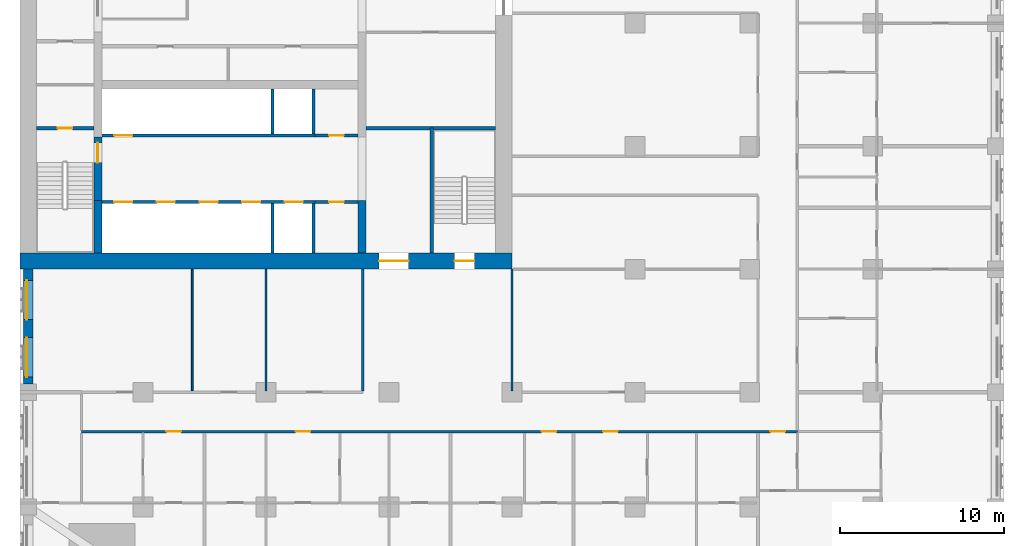
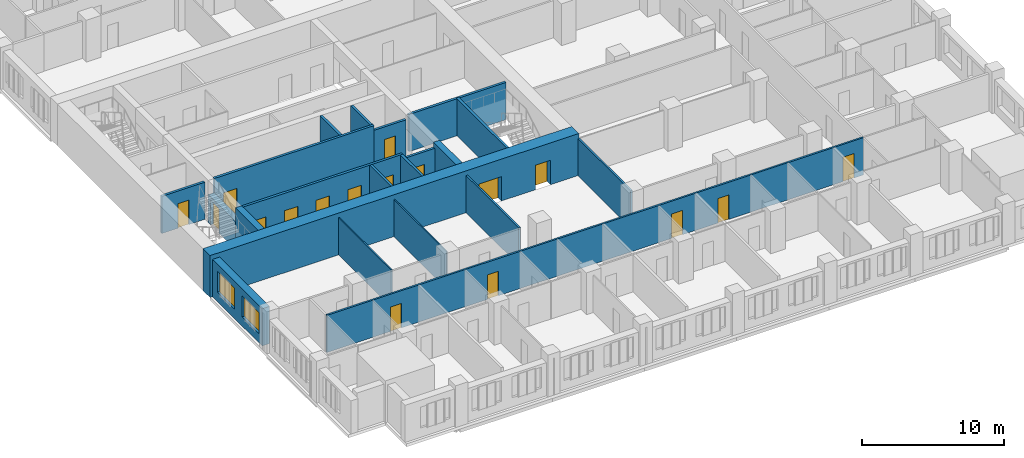
# One storey, part 5 of 14: 21 walls, 17 doors, 2 windows, 19 openings.
"""IFC4 building model written with IfcOpenShell, lengths in metres."""

from ifc_helpers import new_model, si_unit, direction, frame, frame_2d, origin, place, context, subcontext, project, spatial, rectangle, extrude, material, layer, layer_set, type_object, element, fill, save


model = new_model("IFC4")

# Units and contexts
model_context = context("Model", 3, precision=1e-05, world=origin(), true_north=direction((0.0, 1.0)))
body_context = subcontext(model_context, "Body", "Model", "MODEL_VIEW")
ifc_project = project(units=[si_unit("LENGTHUNIT", "METRE"), si_unit("AREAUNIT", "SQUARE_METRE"), si_unit("VOLUMEUNIT", "CUBIC_METRE"), si_unit("PLANEANGLEUNIT", "RADIAN"), si_unit("MASSUNIT", "GRAM", prefix="KILO")], contexts=[model_context])

# Site, building, storey
site_placement = place(None, origin())
site = spatial("IfcSite", under=ifc_project, at=site_placement, CompositionType="ELEMENT")
building_placement = place(site_placement, origin())
building = spatial("IfcBuilding", under=site, at=building_placement, Name="Tamorin Gate", CompositionType="ELEMENT")
storey_placement = place(building_placement, frame((0.0, 0.0, 70.0)))
storey = spatial("IfcBuildingStorey", under=building, at=storey_placement, Name="L16", CompositionType="ELEMENT", Elevation=70.0)

# Wall, openings, windows
ifc_material_1 = material(Name="Precast concrete C40/50", Category="concrete")
ifc_layer_1 = layer(ifc_material_1, 0.60009765625)
ifc_layer_set_1 = layer_set([ifc_layer_1], Name="Precast concrete C40/50")
wall_type_1 = type_object("IfcWallType", Name="Board-marked concrete facade panel 600", PredefinedType="SOLIDWALL", material=ifc_layer_set_1)
wall_1_placement = place(storey_placement, frame((30.5, 60.0, 0.0), z_axis=(0.0, 0.0, 1.0), x_axis=(0.0, -1.0, 0.0)))
wall_1 = element("IfcWall", 1, at=wall_1_placement, inside=storey, type_object=wall_type_1, Name="Facade panel", PredefinedType="SOLIDWALL", context=body_context, shape_type="SweptSolid", body=[
    extrude(rectangle(XDim=7.0, YDim=0.60009765625, at=frame_2d((3.5, 0.0))), origin(), (0.0, 0.0, 1.0), 3.199951171875),
])
opening_1_placement = place(wall_1_placement, frame((4.175048828125, 0.0, 0.800048828125)))
opening_1 = element("IfcOpeningElement", 2, at=opening_1_placement, cuts=wall_1, Name="Opening WN1", PredefinedType="OPENING", context=body_context, shape_type="SweptSolid", body=[
    extrude(rectangle(XDim=2.39990234375, YDim=1.800048828125, at=frame_2d((1.199951171875, 0.89990234375))), frame((0.0, 0.31005859375, 0.0), z_axis=(0.0, -1.0, 0.0), x_axis=(1.0, 0.0, 0.0)), (0.0, 0.0, 1.0), 0.6201171875),
])
opening_2_placement = place(wall_1_placement, frame((0.675048828125, 0.0, 0.800048828125)))
opening_2 = element("IfcOpeningElement", 3, at=opening_2_placement, cuts=wall_1, Name="Opening WN1", PredefinedType="OPENING", context=body_context, shape_type="SweptSolid", body=[
    extrude(rectangle(XDim=2.39990234375, YDim=1.800048828125, at=frame_2d((1.199951171875, 0.89990234375))), frame((0.0, 0.31005859375, 0.0), z_axis=(0.0, -1.0, 0.0), x_axis=(1.0, 0.0, 0.0)), (0.0, 0.0, 1.0), 0.6201171875),
])
ifc_material_2 = material(Name="Clear glass in aluminium frame", Category="aluminium")
window_type = type_object("IfcWindowType", Name="Deep-set window 2400x1800", PartitioningType="SINGLE_PANEL", PredefinedType="WINDOW", material=ifc_material_2)
window_1_placement = place(opening_1_placement, origin())
window_1 = element("IfcWindow", 4, at=window_1_placement, inside=storey, type_object=window_type, Name="Deep-set window", OverallHeight=1.800048828125, OverallWidth=2.39990234375, PartitioningType="SINGLE_PANEL", PredefinedType="WINDOW", context=body_context, shape_type="SweptSolid", body=[
    extrude(rectangle(XDim=2.39990234375, YDim=1.800048828125, at=frame_2d((1.199951171875, 0.89990234375))), frame((0.0, -0.070068359375, 0.0), z_axis=(0.0, -1.0, 0.0), x_axis=(1.0, 0.0, 0.0)), (0.0, 0.0, 1.0), 0.06005859375),
])
fill(opening_1, window_1)
window_2_placement = place(opening_2_placement, origin())
window_2 = element("IfcWindow", 5, at=window_2_placement, inside=storey, type_object=window_type, Name="Deep-set window", OverallHeight=1.800048828125, OverallWidth=2.39990234375, PartitioningType="SINGLE_PANEL", PredefinedType="WINDOW", context=body_context, shape_type="SweptSolid", body=[
    extrude(rectangle(XDim=2.39990234375, YDim=1.800048828125, at=frame_2d((1.199951171875, 0.89990234375))), frame((0.0, -0.070068359375, 0.0), z_axis=(0.0, -1.0, 0.0), x_axis=(1.0, 0.0, 0.0)), (0.0, 0.0, 1.0), 0.06005859375),
])
fill(opening_2, window_2)

# Wall, openings, doors
ifc_material_3 = material(Name="Gypsum board partition")
ifc_layer_2 = layer(ifc_material_3, 0.14990234375)
ifc_layer_set_2 = layer_set([ifc_layer_2], Name="Corridor wall 150")
wall_type_2 = type_object("IfcWallType", Name="Corridor wall 150", PredefinedType="PARTITIONING", material=ifc_layer_set_2)
wall_2_placement = place(storey_placement, frame((33.75, 50.10009765625, 0.0), z_axis=(0.0, 0.0, 1.0), x_axis=(1.0, 0.0, 0.0)))
wall_2 = element("IfcWall", 6, at=wall_2_placement, inside=storey, type_object=wall_type_2, Name="Corridor wall 150", PredefinedType="PARTITIONING", context=body_context, shape_type="SweptSolid", body=[
    extrude(rectangle(XDim=43.64990234375, YDim=0.14990234375, at=frame_2d((21.824951171875, 0.0))), origin(), (0.0, 0.0, 1.0), 3.199951171875),
])
opening_3_placement = place(wall_2_placement, frame((5.175048828125, 0.0, 0.0)))
opening_3 = element("IfcOpeningElement", 7, at=opening_3_placement, cuts=wall_2, Name="Opening DH3003", PredefinedType="OPENING", context=body_context, shape_type="SweptSolid", body=[
    extrude(rectangle(XDim=0.89990234375, YDim=2.10009765625, at=frame_2d((0.449951171875, 1.050048828125))), frame((0.0, 0.0849609375, 0.0), z_axis=(0.0, -1.0, 0.0), x_axis=(1.0, 0.0, 0.0)), (0.0, 0.0, 1.0), 0.169921875),
])
opening_4_placement = place(wall_2_placement, frame((13.050048828125, 0.0, 0.0)))
opening_4 = element("IfcOpeningElement", 8, at=opening_4_placement, cuts=wall_2, Name="Opening DH3006", PredefinedType="OPENING", context=body_context, shape_type="SweptSolid", body=[
    extrude(rectangle(XDim=0.89990234375, YDim=2.10009765625, at=frame_2d((0.449951171875, 1.050048828125))), frame((0.0, 0.0849609375, 0.0), z_axis=(0.0, -1.0, 0.0), x_axis=(1.0, 0.0, 0.0)), (0.0, 0.0, 1.0), 0.169921875),
])
opening_5_placement = place(wall_2_placement, frame((28.050048828125, 0.0, 0.0)))
opening_5 = element("IfcOpeningElement", 9, at=opening_5_placement, cuts=wall_2, Name="Opening DH3013", PredefinedType="OPENING", context=body_context, shape_type="SweptSolid", body=[
    extrude(rectangle(XDim=0.89990234375, YDim=2.10009765625, at=frame_2d((0.449951171875, 1.050048828125))), frame((0.0, 0.0849609375, 0.0), z_axis=(0.0, -1.0, 0.0), x_axis=(1.0, 0.0, 0.0)), (0.0, 0.0, 1.0), 0.169921875),
])
opening_6_placement = place(wall_2_placement, frame((31.800048828125, 0.0, 0.0)))
opening_6 = element("IfcOpeningElement", 10, at=opening_6_placement, cuts=wall_2, Name="Opening DH3015", PredefinedType="OPENING", context=body_context, shape_type="SweptSolid", body=[
    extrude(rectangle(XDim=0.89990234375, YDim=2.10009765625, at=frame_2d((0.449951171875, 1.050048828125))), frame((0.0, 0.0849609375, 0.0), z_axis=(0.0, -1.0, 0.0), x_axis=(1.0, 0.0, 0.0)), (0.0, 0.0, 1.0), 0.169921875),
])
opening_7_placement = place(wall_2_placement, frame((42.0, 0.0, 0.0)))
opening_7 = element("IfcOpeningElement", 11, at=opening_7_placement, cuts=wall_2, Name="Opening DH3061", PredefinedType="OPENING", context=body_context, shape_type="SweptSolid", body=[
    extrude(rectangle(XDim=0.89990234375, YDim=2.10009765625, at=frame_2d((0.449951171875, 1.050048828125))), frame((0.0, 0.0849609375, 0.0), z_axis=(0.0, -1.0, 0.0), x_axis=(1.0, 0.0, 0.0)), (0.0, 0.0, 1.0), 0.169921875),
])
ifc_material_4 = material(Name="Timber door leaf", Category="wood")
door_type_1 = type_object("IfcDoorType", Name="Door 900 x 2100 FD30S", OperationType="NOTDEFINED", PredefinedType="DOOR", material=ifc_material_4)
door_1_placement = place(opening_3_placement, origin())
door_1 = element("IfcDoor", 12, at=door_1_placement, inside=storey, type_object=door_type_1, Name="Door DH3003", OperationType="SINGLE_SWING_RIGHT", OverallHeight=2.10009765625, OverallWidth=0.89990234375, PredefinedType="DOOR", context=body_context, shape_type="SweptSolid", body=[
    extrude(rectangle(XDim=0.89990234375, YDim=2.10009765625, at=frame_2d((0.449951171875, 1.050048828125))), frame((0.0, 0.02490234375, 0.0), z_axis=(0.0, -1.0, 0.0), x_axis=(1.0, 0.0, 0.0)), (0.0, 0.0, 1.0), 0.050048828125),
])
fill(opening_3, door_1)
door_2_placement = place(opening_4_placement, origin())
door_2 = element("IfcDoor", 13, at=door_2_placement, inside=storey, type_object=door_type_1, Name="Door DH3006", OperationType="SINGLE_SWING_RIGHT", OverallHeight=2.10009765625, OverallWidth=0.89990234375, PredefinedType="DOOR", context=body_context, shape_type="SweptSolid", body=[
    extrude(rectangle(XDim=0.89990234375, YDim=2.10009765625, at=frame_2d((0.449951171875, 1.050048828125))), frame((0.0, 0.02490234375, 0.0), z_axis=(0.0, -1.0, 0.0), x_axis=(1.0, 0.0, 0.0)), (0.0, 0.0, 1.0), 0.050048828125),
])
fill(opening_4, door_2)
door_3_placement = place(opening_5_placement, origin())
door_3 = element("IfcDoor", 14, at=door_3_placement, inside=storey, type_object=door_type_1, Name="Door DH3013", OperationType="SINGLE_SWING_RIGHT", OverallHeight=2.10009765625, OverallWidth=0.89990234375, PredefinedType="DOOR", context=body_context, shape_type="SweptSolid", body=[
    extrude(rectangle(XDim=0.89990234375, YDim=2.10009765625, at=frame_2d((0.449951171875, 1.050048828125))), frame((0.0, 0.02490234375, 0.0), z_axis=(0.0, -1.0, 0.0), x_axis=(1.0, 0.0, 0.0)), (0.0, 0.0, 1.0), 0.050048828125),
])
fill(opening_5, door_3)
door_4_placement = place(opening_6_placement, origin())
door_4 = element("IfcDoor", 15, at=door_4_placement, inside=storey, type_object=door_type_1, Name="Door DH3015", OperationType="SINGLE_SWING_RIGHT", OverallHeight=2.10009765625, OverallWidth=0.89990234375, PredefinedType="DOOR", context=body_context, shape_type="SweptSolid", body=[
    extrude(rectangle(XDim=0.89990234375, YDim=2.10009765625, at=frame_2d((0.449951171875, 1.050048828125))), frame((0.0, 0.02490234375, 0.0), z_axis=(0.0, -1.0, 0.0), x_axis=(1.0, 0.0, 0.0)), (0.0, 0.0, 1.0), 0.050048828125),
])
fill(opening_6, door_4)
door_5_placement = place(opening_7_placement, origin())
door_5 = element("IfcDoor", 16, at=door_5_placement, inside=storey, type_object=door_type_1, Name="Door DH3061", OperationType="SINGLE_SWING_LEFT", OverallHeight=2.10009765625, OverallWidth=0.89990234375, PredefinedType="DOOR", context=body_context, shape_type="SweptSolid", body=[
    extrude(rectangle(XDim=0.89990234375, YDim=2.10009765625, at=frame_2d((0.449951171875, 1.050048828125))), frame((0.0, 0.02490234375, 0.0), z_axis=(0.0, -1.0, 0.0), x_axis=(1.0, 0.0, 0.0)), (0.0, 0.0, 1.0), 0.050048828125),
])
fill(opening_7, door_5)

ifc_material_5 = material(Name="Concrete C32/40", Category="concrete")
ifc_layer_3 = layer(ifc_material_5, 0.199951171875)
ifc_layer_set_3 = layer_set([ifc_layer_3], Name="Lift lobby face wall 200 EI 120")
wall_type_3 = type_object("IfcWallType", Name="Lift lobby face wall 200 EI 120", PredefinedType="SOLIDWALL", material=ifc_layer_set_3)
wall_3_placement = place(storey_placement, frame((35.0, 64.10009765625, 0.0), z_axis=(0.0, 0.0, 1.0), x_axis=(1.0, 0.0, 0.0)))
wall_3 = element("IfcWall", 17, at=wall_3_placement, inside=storey, type_object=wall_type_3, Name="Lift lobby face wall", PredefinedType="SOLIDWALL", context=body_context, shape_type="SweptSolid", body=[
    extrude(rectangle(XDim=13.0, YDim=0.199951171875, at=frame_2d((6.5, 0.0))), origin(), (0.0, 0.0, 1.0), 3.60009765625),
])
opening_8_placement = place(wall_3_placement, frame((0.75, 0.0, 0.0)))
opening_8 = element("IfcOpeningElement", 18, at=opening_8_placement, cuts=wall_3, Name="Opening LD1", PredefinedType="OPENING", context=body_context, shape_type="SweptSolid", body=[
    extrude(rectangle(XDim=1.10009765625, YDim=2.10009765625, at=frame_2d((0.550048828125, 1.050048828125))), frame((0.0, 0.10986328125, 0.0), z_axis=(0.0, -1.0, 0.0), x_axis=(1.0, 0.0, 0.0)), (0.0, 0.0, 1.0), 0.219970703125),
])
opening_9_placement = place(wall_3_placement, frame((3.35009765625, 0.0, 0.0)))
opening_9 = element("IfcOpeningElement", 19, at=opening_9_placement, cuts=wall_3, Name="Opening LD2", PredefinedType="OPENING", context=body_context, shape_type="SweptSolid", body=[
    extrude(rectangle(XDim=1.10009765625, YDim=2.10009765625, at=frame_2d((0.550048828125, 1.050048828125))), frame((0.0, 0.10986328125, 0.0), z_axis=(0.0, -1.0, 0.0), x_axis=(1.0, 0.0, 0.0)), (0.0, 0.0, 1.0), 0.219970703125),
])
opening_10_placement = place(wall_3_placement, frame((5.949951171875, 0.0, 0.0)))
opening_10 = element("IfcOpeningElement", 20, at=opening_10_placement, cuts=wall_3, Name="Opening LD3", PredefinedType="OPENING", context=body_context, shape_type="SweptSolid", body=[
    extrude(rectangle(XDim=1.10009765625, YDim=2.10009765625, at=frame_2d((0.550048828125, 1.050048828125))), frame((0.0, 0.10986328125, 0.0), z_axis=(0.0, -1.0, 0.0), x_axis=(1.0, 0.0, 0.0)), (0.0, 0.0, 1.0), 0.219970703125),
])
opening_11_placement = place(wall_3_placement, frame((8.550048828125, 0.0, 0.0)))
opening_11 = element("IfcOpeningElement", 21, at=opening_11_placement, cuts=wall_3, Name="Opening LD4", PredefinedType="OPENING", context=body_context, shape_type="SweptSolid", body=[
    extrude(rectangle(XDim=1.10009765625, YDim=2.10009765625, at=frame_2d((0.550048828125, 1.050048828125))), frame((0.0, 0.10986328125, 0.0), z_axis=(0.0, -1.0, 0.0), x_axis=(1.0, 0.0, 0.0)), (0.0, 0.0, 1.0), 0.219970703125),
])
opening_12_placement = place(wall_3_placement, frame((11.14990234375, 0.0, 0.0)))
opening_12 = element("IfcOpeningElement", 22, at=opening_12_placement, cuts=wall_3, Name="Opening LD5", PredefinedType="OPENING", context=body_context, shape_type="SweptSolid", body=[
    extrude(rectangle(XDim=1.10009765625, YDim=2.10009765625, at=frame_2d((0.550048828125, 1.050048828125))), frame((0.0, 0.10986328125, 0.0), z_axis=(0.0, -1.0, 0.0), x_axis=(1.0, 0.0, 0.0)), (0.0, 0.0, 1.0), 0.219970703125),
])
ifc_material_6 = material(Name="Stainless steel sliding door", Category="steel")
door_type_2 = type_object("IfcDoorType", Name="Lift landing door 1100 x 2100 E 90", OperationType="DOUBLE_DOOR_SLIDING", PredefinedType="DOOR", material=ifc_material_6)
door_6_placement = place(opening_8_placement, origin())
door_6 = element("IfcDoor", 23, at=door_6_placement, inside=storey, type_object=door_type_2, Name="LR1 landing door", OperationType="DOUBLE_DOOR_SLIDING", OverallHeight=2.10009765625, OverallWidth=1.10009765625, PredefinedType="DOOR", context=body_context, shape_type="SweptSolid", body=[
    extrude(rectangle(XDim=1.10009765625, YDim=2.10009765625, at=frame_2d((0.550048828125, 1.050048828125))), frame((0.0, 0.02490234375, 0.0), z_axis=(0.0, -1.0, 0.0), x_axis=(1.0, 0.0, 0.0)), (0.0, 0.0, 1.0), 0.050048828125),
])
fill(opening_8, door_6)
door_7_placement = place(opening_9_placement, origin())
door_7 = element("IfcDoor", 24, at=door_7_placement, inside=storey, type_object=door_type_2, Name="LR2 landing door", OperationType="DOUBLE_DOOR_SLIDING", OverallHeight=2.10009765625, OverallWidth=1.10009765625, PredefinedType="DOOR", context=body_context, shape_type="SweptSolid", body=[
    extrude(rectangle(XDim=1.10009765625, YDim=2.10009765625, at=frame_2d((0.550048828125, 1.050048828125))), frame((0.0, 0.02490234375, 0.0), z_axis=(0.0, -1.0, 0.0), x_axis=(1.0, 0.0, 0.0)), (0.0, 0.0, 1.0), 0.050048828125),
])
fill(opening_9, door_7)
door_8_placement = place(opening_10_placement, origin())
door_8 = element("IfcDoor", 25, at=door_8_placement, inside=storey, type_object=door_type_2, Name="LR3 landing door", OperationType="DOUBLE_DOOR_SLIDING", OverallHeight=2.10009765625, OverallWidth=1.10009765625, PredefinedType="DOOR", context=body_context, shape_type="SweptSolid", body=[
    extrude(rectangle(XDim=1.10009765625, YDim=2.10009765625, at=frame_2d((0.550048828125, 1.050048828125))), frame((0.0, 0.02490234375, 0.0), z_axis=(0.0, -1.0, 0.0), x_axis=(1.0, 0.0, 0.0)), (0.0, 0.0, 1.0), 0.050048828125),
])
fill(opening_10, door_8)
door_9_placement = place(opening_11_placement, origin())
door_9 = element("IfcDoor", 26, at=door_9_placement, inside=storey, type_object=door_type_2, Name="LR4 landing door", OperationType="DOUBLE_DOOR_SLIDING", OverallHeight=2.10009765625, OverallWidth=1.10009765625, PredefinedType="DOOR", context=body_context, shape_type="SweptSolid", body=[
    extrude(rectangle(XDim=1.10009765625, YDim=2.10009765625, at=frame_2d((0.550048828125, 1.050048828125))), frame((0.0, 0.02490234375, 0.0), z_axis=(0.0, -1.0, 0.0), x_axis=(1.0, 0.0, 0.0)), (0.0, 0.0, 1.0), 0.050048828125),
])
fill(opening_11, door_9)
door_10_placement = place(opening_12_placement, origin())
door_10 = element("IfcDoor", 27, at=door_10_placement, inside=storey, type_object=door_type_2, Name="LR5 landing door", OperationType="DOUBLE_DOOR_SLIDING", OverallHeight=2.10009765625, OverallWidth=1.10009765625, PredefinedType="DOOR", context=body_context, shape_type="SweptSolid", body=[
    extrude(rectangle(XDim=1.10009765625, YDim=2.10009765625, at=frame_2d((0.550048828125, 1.050048828125))), frame((0.0, 0.02490234375, 0.0), z_axis=(0.0, -1.0, 0.0), x_axis=(1.0, 0.0, 0.0)), (0.0, 0.0, 1.0), 0.050048828125),
])
fill(opening_12, door_10)

# Wall, opening, door
wall_4_placement = place(storey_placement, frame((35.0, 68.14990234375, 0.0), z_axis=(0.0, 0.0, 1.0), x_axis=(1.0, 0.0, 0.0)))
wall_4 = element("IfcWall", 28, at=wall_4_placement, inside=storey, type_object=wall_type_3, Name="Lift lobby face wall", PredefinedType="SOLIDWALL", context=body_context, shape_type="SweptSolid", body=[
    extrude(rectangle(XDim=13.0, YDim=0.199951171875, at=frame_2d((6.5, 0.0))), origin(), (0.0, 0.0, 1.0), 3.60009765625),
])
opening_13_placement = place(wall_4_placement, frame((0.75, 0.0, 0.0)))
opening_13 = element("IfcOpeningElement", 29, at=opening_13_placement, cuts=wall_4, Name="Opening LD6", PredefinedType="OPENING", context=body_context, shape_type="SweptSolid", body=[
    extrude(rectangle(XDim=1.10009765625, YDim=2.10009765625, at=frame_2d((0.550048828125, 1.050048828125))), frame((0.0, 0.10986328125, 0.0), z_axis=(0.0, -1.0, 0.0), x_axis=(1.0, 0.0, 0.0)), (0.0, 0.0, 1.0), 0.219970703125),
])
door_11_placement = place(opening_13_placement, origin())
door_11 = element("IfcDoor", 30, at=door_11_placement, inside=storey, type_object=door_type_2, Name="LR6 landing door", OperationType="DOUBLE_DOOR_SLIDING", OverallHeight=2.10009765625, OverallWidth=1.10009765625, PredefinedType="DOOR", context=body_context, shape_type="SweptSolid", body=[
    extrude(rectangle(XDim=1.10009765625, YDim=2.10009765625, at=frame_2d((0.550048828125, 1.050048828125))), frame((0.0, 0.02490234375, 0.0), z_axis=(0.0, -1.0, 0.0), x_axis=(1.0, 0.0, 0.0)), (0.0, 0.0, 1.0), 0.050048828125),
])
fill(opening_13, door_11)

# Walls
ifc_layer_4 = layer(ifc_material_5, 0.199951171875)
ifc_layer_set_4 = layer_set([ifc_layer_4], Name="Lift shaft wall 200 EI 120")
wall_type_4 = type_object("IfcWallType", Name="Lift shaft wall 200 EI 120", PredefinedType="SOLIDWALL", material=ifc_layer_set_4)
for number, where, z_axis, x_axis, name in (
    (31, (45.39990234375, 61.0, 0.0), (0.0, 0.0, 1.0), (0.0, 1.0, 0.0), "Lift shaft wall"),
    (32, (47.89990234375, 61.0, 0.0), (0.0, 0.0, 1.0), (0.0, 1.0, 0.0), "Lift shaft wall"),
):
    element("IfcWall", number, at=place(storey_placement, frame(where, z_axis=z_axis, x_axis=x_axis)), inside=storey, type_object=wall_type_4, Name=name, PredefinedType="SOLIDWALL", context=body_context, shape_type="SweptSolid", body=[
        extrude(rectangle(XDim=3.0, YDim=0.199951171875, at=frame_2d((1.5, 0.0))), origin(), (0.0, 0.0, 1.0), 3.60009765625),
    ])
for number, where, z_axis, x_axis, name in (
    (33, (45.39990234375, 68.25, 0.0), (0.0, 0.0, 1.0), (0.0, 1.0, 0.0), "Lift shaft wall"),
    (34, (47.89990234375, 68.25, 0.0), (0.0, 0.0, 1.0), (0.0, 1.0, 0.0), "Lift shaft wall"),
):
    element("IfcWall", number, at=place(storey_placement, frame(where, z_axis=z_axis, x_axis=x_axis)), inside=storey, type_object=wall_type_4, Name=name, PredefinedType="SOLIDWALL", context=body_context, shape_type="SweptSolid", body=[
        extrude(rectangle(XDim=2.75, YDim=0.199951171875, at=frame_2d((1.375, 0.0))), origin(), (0.0, 0.0, 1.0), 3.60009765625),
    ])
ifc_layer_5 = layer(ifc_material_3, 0.14990234375)
ifc_layer_set_5 = layer_set([ifc_layer_5], Name="Lobby wall 150")
wall_type_5 = type_object("IfcWallType", Name="Lobby wall 150", PredefinedType="PARTITIONING", material=ifc_layer_set_5)
for number, where, z_axis, x_axis, name in (
    (35, (50.89990234375, 52.574951171875, 0.0), (0.0, 0.0, 1.0), (0.0, 1.0, 0.0), "Lobby wall 150"),
    (36, (60.0, 52.574951171875, 0.0), (0.0, 0.0, 1.0), (0.0, 1.0, 0.0), "Lobby wall 150"),
):
    element("IfcWall", number, at=place(storey_placement, frame(where, z_axis=z_axis, x_axis=x_axis)), inside=storey, type_object=wall_type_5, Name=name, PredefinedType="PARTITIONING", context=body_context, shape_type="SweptSolid", body=[
        extrude(rectangle(XDim=7.425048828125, YDim=0.14990234375, at=frame_2d((3.71240234375, 0.0))), origin(), (0.0, 0.0, 1.0), 3.199951171875),
    ])
ifc_material_7 = material(Name="Concrete C80/95", Category="concrete")
ifc_layer_6 = layer(ifc_material_7, 0.5)
ifc_layer_set_6 = layer_set([ifc_layer_6], Name="RC core internal wall 500 C80/95")
wall_type_6 = type_object("IfcWallType", Name="RC core internal wall 500 C80/95", PredefinedType="SHEAR", material=ifc_layer_set_6)
for number, where, z_axis, x_axis, name in (
    (37, (34.75, 61.0, 0.0), (0.0, 0.0, 1.0), (0.0, 1.0, 0.0), "Core cross wall L16"),
    (38, (50.85009765625, 61.0, 0.0), (0.0, 0.0, 1.0), (0.0, 1.0, 0.0), "Core cross wall L16"),
):
    element("IfcWall", number, at=place(storey_placement, frame(where, z_axis=z_axis, x_axis=x_axis)), inside=storey, type_object=wall_type_6, Name=name, PredefinedType="SHEAR", context=body_context, shape_type="SweptSolid", body=[
        extrude(rectangle(XDim=3.199951171875, YDim=0.5, at=frame_2d((1.60009765625, 0.0))), origin(), (0.0, 0.0, 1.0), 3.60009765625),
    ])

# Wall, openings, doors
ifc_layer_7 = layer(ifc_material_7, 1.0)
ifc_layer_set_7 = layer_set([ifc_layer_7], Name="RC core wall 1000 C80/95")
wall_type_7 = type_object("IfcWallType", Name="RC core wall 1000 C80/95", PredefinedType="SHEAR", material=ifc_layer_set_7)
wall_5_placement = place(storey_placement, frame((30.0, 60.5, 0.0), z_axis=(0.0, 0.0, 1.0), x_axis=(1.0, 0.0, 0.0)))
wall_5 = element("IfcWall", 39, at=wall_5_placement, inside=storey, type_object=wall_type_7, Name="Core wall L16", PredefinedType="SHEAR", context=body_context, shape_type="SweptSolid", body=[
    extrude(rectangle(XDim=30.0, YDim=1.0, at=frame_2d((15.0, 0.0))), origin(), (0.0, 0.0, 1.0), 3.60009765625),
])
opening_14_placement = place(wall_5_placement, frame((21.89990234375, 0.0, 0.0)))
opening_14 = element("IfcOpeningElement", 40, at=opening_14_placement, cuts=wall_5, Name="Opening DE1", PredefinedType="OPENING", context=body_context, shape_type="SweptSolid", body=[
    extrude(rectangle(XDim=1.800048828125, YDim=2.10009765625, at=frame_2d((0.89990234375, 1.050048828125))), frame((0.0, 0.510009765625, 0.0), z_axis=(0.0, -1.0, 0.0), x_axis=(1.0, 0.0, 0.0)), (0.0, 0.0, 1.0), 1.02001953125),
])
opening_15_placement = place(wall_5_placement, frame((26.5, 0.0, 0.0)))
opening_15 = element("IfcOpeningElement", 41, at=opening_15_placement, cuts=wall_5, Name="Opening DS1", PredefinedType="OPENING", context=body_context, shape_type="SweptSolid", body=[
    extrude(rectangle(XDim=1.199951171875, YDim=2.10009765625, at=frame_2d((0.60009765625, 1.050048828125))), frame((0.0, 0.510009765625, 0.0), z_axis=(0.0, -1.0, 0.0), x_axis=(1.0, 0.0, 0.0)), (0.0, 0.0, 1.0), 1.02001953125),
])
ifc_material_8 = material(Name="Steel fire door", Category="steel")
door_type_3 = type_object("IfcDoorType", Name="Lobby exit double door 1800 x 2100 EI 60", OperationType="DOUBLE_DOOR_SINGLE_SWING", PredefinedType="DOOR", material=ifc_material_8)
door_12_placement = place(opening_14_placement, origin())
door_12 = element("IfcDoor", 42, at=door_12_placement, inside=storey, type_object=door_type_3, Name="Lift lobby A exit door", OperationType="DOUBLE_DOOR_SINGLE_SWING", OverallHeight=2.10009765625, OverallWidth=1.800048828125, PredefinedType="DOOR", context=body_context, shape_type="SweptSolid", body=[
    extrude(rectangle(XDim=1.800048828125, YDim=2.10009765625, at=frame_2d((0.89990234375, 1.050048828125))), frame((0.0, 0.02490234375, 0.0), z_axis=(0.0, -1.0, 0.0), x_axis=(1.0, 0.0, 0.0)), (0.0, 0.0, 1.0), 0.050048828125),
])
fill(opening_14, door_12)
door_type_4 = type_object("IfcDoorType", Name="Stair door 1200 x 2100 EI 90", OperationType="SINGLE_SWING_LEFT", PredefinedType="DOOR", material=ifc_material_8)
door_13_placement = place(opening_15_placement, origin())
door_13 = element("IfcDoor", 43, at=door_13_placement, inside=storey, type_object=door_type_4, Name="ST3 door", OperationType="SINGLE_SWING_LEFT", OverallHeight=2.10009765625, OverallWidth=1.199951171875, PredefinedType="DOOR", context=body_context, shape_type="SweptSolid", body=[
    extrude(rectangle(XDim=1.199951171875, YDim=2.10009765625, at=frame_2d((0.60009765625, 1.050048828125))), frame((0.0, 0.02490234375, 0.0), z_axis=(0.0, -1.0, 0.0), x_axis=(1.0, 0.0, 0.0)), (0.0, 0.0, 1.0), 0.050048828125),
])
fill(opening_15, door_13)

# Walls
ifc_layer_8 = layer(ifc_material_3, 0.10009765625)
ifc_layer_set_8 = layer_set([ifc_layer_8], Name="Room partition 100")
wall_type_8 = type_object("IfcWallType", Name="Room partition 100", PredefinedType="PARTITIONING", material=ifc_layer_set_8)
for number, where, z_axis, x_axis, name in (
    (44, (40.5, 52.574951171875, 0.0), (0.0, 0.0, 1.0), (0.0, 1.0, 0.0), "Room partition 100"),
    (45, (45.0, 52.574951171875, 0.0), (0.0, 0.0, 1.0), (0.0, 1.0, 0.0), "Room partition 100"),
):
    element("IfcWall", number, at=place(storey_placement, frame(where, z_axis=z_axis, x_axis=x_axis)), inside=storey, type_object=wall_type_8, Name=name, PredefinedType="PARTITIONING", context=body_context, shape_type="SweptSolid", body=[
        extrude(rectangle(XDim=7.425048828125, YDim=0.10009765625, at=frame_2d((3.71240234375, 0.0))), origin(), (0.0, 0.0, 1.0), 3.199951171875),
    ])

# Wall, opening, door
ifc_layer_9 = layer(ifc_material_3, 0.199951171875)
ifc_layer_set_9 = layer_set([ifc_layer_9], Name="Service room face wall 200 EI 60")
wall_type_9 = type_object("IfcWallType", Name="Service room face wall 200 EI 60", PredefinedType="PARTITIONING", material=ifc_layer_set_9)
wall_6_placement = place(storey_placement, frame((48.0, 64.10009765625, 0.0), z_axis=(0.0, 0.0, 1.0), x_axis=(1.0, 0.0, 0.0)))
wall_6 = element("IfcWall", 46, at=wall_6_placement, inside=storey, type_object=wall_type_9, Name="Service room face wall", PredefinedType="PARTITIONING", context=body_context, shape_type="SweptSolid", body=[
    extrude(rectangle(XDim=2.60009765625, YDim=0.199951171875, at=frame_2d((1.300048828125, 0.0))), origin(), (0.0, 0.0, 1.0), 3.18994140625),
])
opening_16_placement = place(wall_6_placement, frame((0.85009765625, 0.0, 0.0)))
opening_16 = element("IfcOpeningElement", 47, at=opening_16_placement, cuts=wall_6, Name="Opening DK1", PredefinedType="OPENING", context=body_context, shape_type="SweptSolid", body=[
    extrude(rectangle(XDim=0.89990234375, YDim=2.10009765625, at=frame_2d((0.449951171875, 1.050048828125))), frame((0.0, 0.10986328125, 0.0), z_axis=(0.0, -1.0, 0.0), x_axis=(1.0, 0.0, 0.0)), (0.0, 0.0, 1.0), 0.219970703125),
])
ifc_material_9 = material(Name="Timber fire door", Category="wood")
door_type_5 = type_object("IfcDoorType", Name="Service room door 900 x 2100 EI 60", OperationType="SINGLE_SWING_LEFT", PredefinedType="DOOR", material=ifc_material_9)
door_14_placement = place(opening_16_placement, origin())
door_14 = element("IfcDoor", 48, at=door_14_placement, inside=storey, type_object=door_type_5, Name="Door Laundry store", OperationType="SINGLE_SWING_RIGHT", OverallHeight=2.10009765625, OverallWidth=0.89990234375, PredefinedType="DOOR", context=body_context, shape_type="SweptSolid", body=[
    extrude(rectangle(XDim=0.89990234375, YDim=2.10009765625, at=frame_2d((0.449951171875, 1.050048828125))), frame((0.0, 0.02490234375, 0.0), z_axis=(0.0, -1.0, 0.0), x_axis=(1.0, 0.0, 0.0)), (0.0, 0.0, 1.0), 0.050048828125),
])
fill(opening_16, door_14)

wall_7_placement = place(storey_placement, frame((48.0, 68.14990234375, 0.0), z_axis=(0.0, 0.0, 1.0), x_axis=(1.0, 0.0, 0.0)))
wall_7 = element("IfcWall", 49, at=wall_7_placement, inside=storey, type_object=wall_type_9, Name="Service room face wall", PredefinedType="PARTITIONING", context=body_context, shape_type="SweptSolid", body=[
    extrude(rectangle(XDim=2.60009765625, YDim=0.199951171875, at=frame_2d((1.300048828125, 0.0))), origin(), (0.0, 0.0, 1.0), 3.18994140625),
])
opening_17_placement = place(wall_7_placement, frame((0.85009765625, 0.0, 0.0)))
opening_17 = element("IfcOpeningElement", 50, at=opening_17_placement, cuts=wall_7, Name="Opening DK1", PredefinedType="OPENING", context=body_context, shape_type="SweptSolid", body=[
    extrude(rectangle(XDim=0.89990234375, YDim=2.10009765625, at=frame_2d((0.449951171875, 1.050048828125))), frame((0.0, 0.10986328125, 0.0), z_axis=(0.0, -1.0, 0.0), x_axis=(1.0, 0.0, 0.0)), (0.0, 0.0, 1.0), 0.219970703125),
])
door_15_placement = place(opening_17_placement, origin())
door_15 = element("IfcDoor", 51, at=door_15_placement, inside=storey, type_object=door_type_5, Name="Door Luggage store", OperationType="SINGLE_SWING_RIGHT", OverallHeight=2.10009765625, OverallWidth=0.89990234375, PredefinedType="DOOR", context=body_context, shape_type="SweptSolid", body=[
    extrude(rectangle(XDim=0.89990234375, YDim=2.10009765625, at=frame_2d((0.449951171875, 1.050048828125))), frame((0.0, 0.02490234375, 0.0), z_axis=(0.0, -1.0, 0.0), x_axis=(1.0, 0.0, 0.0)), (0.0, 0.0, 1.0), 0.050048828125),
])
fill(opening_17, door_15)

ifc_material_10 = material(Name="Concrete C40/50", Category="concrete")
ifc_layer_10 = layer(ifc_material_10, 0.199951171875)
ifc_layer_set_10 = layer_set([ifc_layer_10], Name="Stair enclosure wall 200 EI 120 C40/50")
wall_type_10 = type_object("IfcWallType", Name="Stair enclosure wall 200 EI 120 C40/50", PredefinedType="SOLIDWALL", material=ifc_layer_set_10)
wall_8_placement = place(storey_placement, frame((31.0, 68.60009765625, 0.0), z_axis=(0.0, 0.0, 1.0), x_axis=(1.0, 0.0, 0.0)))
wall_8 = element("IfcWall", 52, at=wall_8_placement, inside=storey, type_object=wall_type_10, Name="Stair enclosure wall", PredefinedType="SOLIDWALL", context=body_context, shape_type="SweptSolid", body=[
    extrude(rectangle(XDim=3.5, YDim=0.199951171875, at=frame_2d((1.75, 0.0))), origin(), (0.0, 0.0, 1.0), 3.18994140625),
])
opening_18_placement = place(wall_8_placement, frame((1.300048828125, 0.0, 0.0)))
opening_18 = element("IfcOpeningElement", 53, at=opening_18_placement, cuts=wall_8, Name="Opening DR1", PredefinedType="OPENING", context=body_context, shape_type="SweptSolid", body=[
    extrude(rectangle(XDim=0.89990234375, YDim=2.10009765625, at=frame_2d((0.449951171875, 1.050048828125))), frame((0.0, 0.10986328125, 0.0), z_axis=(0.0, -1.0, 0.0), x_axis=(1.0, 0.0, 0.0)), (0.0, 0.0, 1.0), 0.219970703125),
])
door_type_6 = type_object("IfcDoorType", Name="Riser access door 900 x 2100 EI 120", OperationType="SINGLE_SWING_LEFT", PredefinedType="DOOR", material=ifc_material_8)
door_16_placement = place(opening_18_placement, origin())
door_16 = element("IfcDoor", 54, at=door_16_placement, inside=storey, type_object=door_type_6, Name="Electrical riser door", OperationType="SINGLE_SWING_LEFT", OverallHeight=2.10009765625, OverallWidth=0.89990234375, PredefinedType="DOOR", context=body_context, shape_type="SweptSolid", body=[
    extrude(rectangle(XDim=0.89990234375, YDim=2.10009765625, at=frame_2d((0.449951171875, 1.050048828125))), frame((0.0, 0.02490234375, 0.0), z_axis=(0.0, -1.0, 0.0), x_axis=(1.0, 0.0, 0.0)), (0.0, 0.0, 1.0), 0.050048828125),
])
fill(opening_18, door_16)

# Walls
wall_9_placement = place(storey_placement, frame((55.10009765625, 61.0, 0.0), z_axis=(0.0, 0.0, 1.0), x_axis=(0.0, 1.0, 0.0)))
element("IfcWall", 55, at=wall_9_placement, inside=storey, type_object=wall_type_10, Name="Stair enclosure wall", PredefinedType="SOLIDWALL", context=body_context, shape_type="SweptSolid", body=[
    extrude(rectangle(XDim=7.60009765625, YDim=0.199951171875, at=frame_2d((3.800048828125, 0.0))), origin(), (0.0, 0.0, 1.0), 3.18994140625),
])
wall_10_placement = place(storey_placement, frame((51.10009765625, 68.60009765625, 0.0), z_axis=(0.0, 0.0, 1.0), x_axis=(1.0, 0.0, 0.0)))
element("IfcWall", 56, at=wall_10_placement, inside=storey, type_object=wall_type_10, Name="Stair enclosure wall", PredefinedType="SOLIDWALL", context=body_context, shape_type="SweptSolid", body=[
    extrude(rectangle(XDim=7.89990234375, YDim=0.199951171875, at=frame_2d((3.949951171875, 0.0))), origin(), (0.0, 0.0, 1.0), 3.18994140625),
])

# Wall, opening, door
ifc_layer_11 = layer(ifc_material_5, 0.5)
ifc_layer_set_11 = layer_set([ifc_layer_11], Name="Stair lobby infill wall 500 EI 120")
wall_type_11 = type_object("IfcWallType", Name="Stair lobby infill wall 500 EI 120", PredefinedType="SOLIDWALL", material=ifc_layer_set_11)
wall_11_placement = place(storey_placement, frame((34.75, 64.199951171875, 0.0), z_axis=(0.0, 0.0, 1.0), x_axis=(0.0, 1.0, 0.0)))
wall_11 = element("IfcWall", 57, at=wall_11_placement, inside=storey, type_object=wall_type_11, Name="Stair lobby infill wall", PredefinedType="SOLIDWALL", context=body_context, shape_type="SweptSolid", body=[
    extrude(rectangle(XDim=3.85009765625, YDim=0.5, at=frame_2d((1.925048828125, 0.0))), origin(), (0.0, 0.0, 1.0), 2.39990234375),
])
opening_19_placement = place(wall_11_placement, frame((2.300048828125, 0.0, 0.0)))
opening_19 = element("IfcOpeningElement", 58, at=opening_19_placement, cuts=wall_11, Name="Opening DS1", PredefinedType="OPENING", context=body_context, shape_type="SweptSolid", body=[
    extrude(rectangle(XDim=1.199951171875, YDim=2.10009765625, at=frame_2d((0.60009765625, 1.050048828125))), frame((0.0, 0.260009765625, 0.0), z_axis=(0.0, -1.0, 0.0), x_axis=(1.0, 0.0, 0.0)), (0.0, 0.0, 1.0), 0.52001953125),
])
door_17_placement = place(opening_19_placement, origin())
door_17 = element("IfcDoor", 59, at=door_17_placement, inside=storey, type_object=door_type_4, Name="ST1 door", OperationType="SINGLE_SWING_LEFT", OverallHeight=2.10009765625, OverallWidth=1.199951171875, PredefinedType="DOOR", context=body_context, shape_type="SweptSolid", body=[
    extrude(rectangle(XDim=1.199951171875, YDim=2.10009765625, at=frame_2d((0.60009765625, 1.050048828125))), frame((0.0, 0.02490234375, 0.0), z_axis=(0.0, -1.0, 0.0), x_axis=(1.0, 0.0, 0.0)), (0.0, 0.0, 1.0), 0.050048828125),
])
fill(opening_19, door_17)

save(model, "model.ifc")
